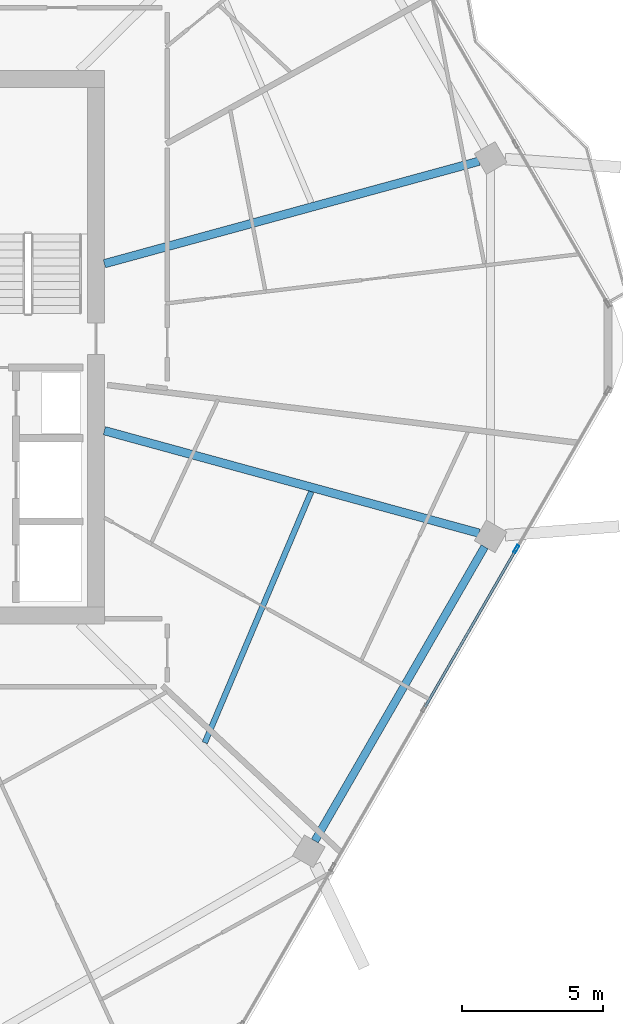
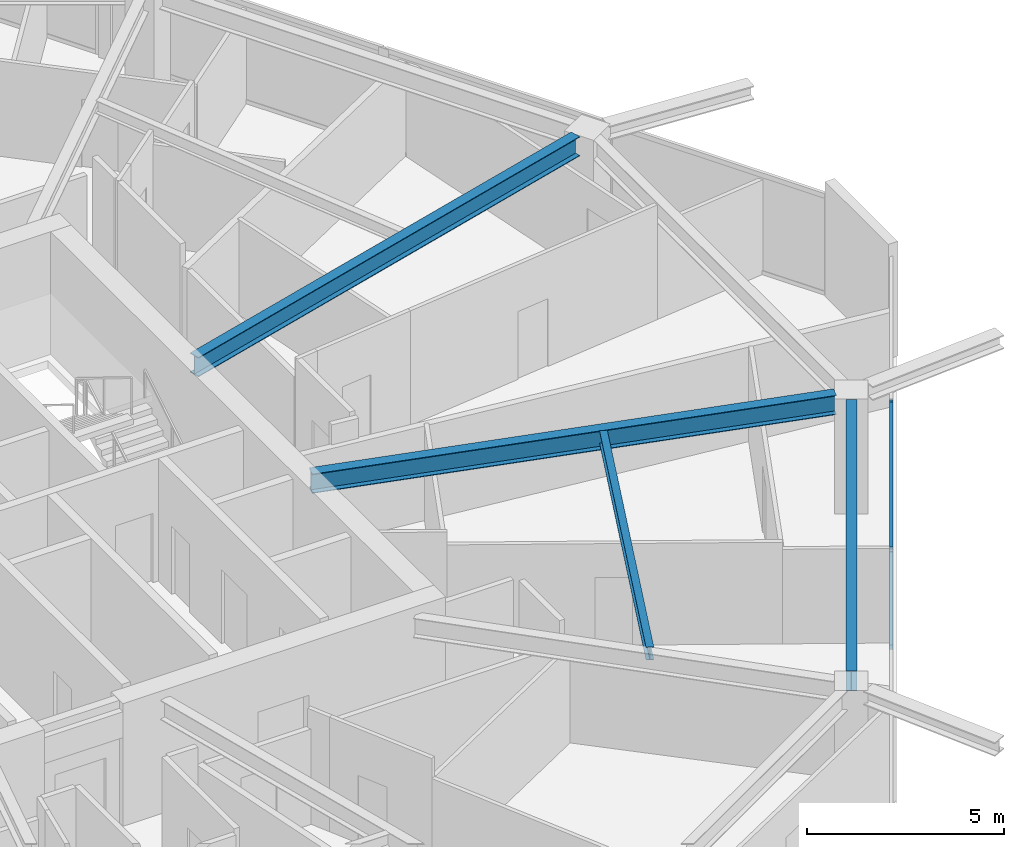
# One storey, part 9 of 26: 4 beams, 3 members, 1 element without a shape of its own.
"""IFC4 building model written with IfcOpenShell, lengths in metres."""

from ifc_helpers import new_model, si_unit, direction, frame, origin, origin_2d, place, context, subcontext, project, spatial, hollow_rectangle, i_section, extrude, material, material_profile, profile_set, type_object, element, aggregate, save


model = new_model("IFC4")

# Units and contexts
model_context = context("Model", 3, precision=1e-05, world=origin(), true_north=direction((0.0, 1.0)))
body_context = subcontext(model_context, "Body", "Model", "MODEL_VIEW")
ifc_project = project(units=[si_unit("LENGTHUNIT", "METRE"), si_unit("AREAUNIT", "SQUARE_METRE"), si_unit("VOLUMEUNIT", "CUBIC_METRE"), si_unit("PLANEANGLEUNIT", "RADIAN"), si_unit("MASSUNIT", "GRAM", prefix="KILO")], contexts=[model_context])

# Site, building, storey
site_placement = place(None, origin())
site = spatial("IfcSite", under=ifc_project, at=site_placement, CompositionType="ELEMENT")
building_placement = place(site_placement, origin())
building = spatial("IfcBuilding", under=site, at=building_placement, Name="Zuhravey Tower", CompositionType="ELEMENT")
storey_placement = place(building_placement, frame((0.0, 0.0, 273.0)))
storey = spatial("IfcBuildingStorey", under=building, at=storey_placement, Name="L69", CompositionType="ELEMENT", Elevation=273.0)

# Curtain wall, members
ifc_material_1 = material(Name="Thermally broken anodised aluminium", Category="aluminium")
curtain_wall_type = type_object("IfcCurtainWallType", Name="Zone 3-4 High-Rise Curtain Wall CW4", PredefinedType="NOTDEFINED", material=ifc_material_1)
curtain_wall_placement = place(storey_placement, origin())
curtain_wall = element("IfcCurtainWall", 1, at=curtain_wall_placement, inside=storey, type_object=curtain_wall_type, Name="L69 CW4 CW-L69-F6-1", PredefinedType="NOTDEFINED")
ifc_material_2 = material(Name="Anodised aluminium", Category="aluminium")
ifc_material_profile_1 = material_profile(ifc_material_2, hollow_rectangle(XDim=0.090087890625, YDim=0.284912109375, WallThickness=0.0048828125, at=origin_2d()), Name="ALU-RHS-90x285x5")
ifc_profile_set_1 = profile_set([ifc_material_profile_1], Name="Anodised aluminium")
member_type_1 = type_object("IfcMemberType", Name="Curtain-Wall Mullion 90x180", PredefinedType="MULLION", material=ifc_profile_set_1)
member_1_placement = place(storey_placement, frame((61.391845703125, 24.852783203125, 0.0), z_axis=(0.0, 0.0, 1.0), x_axis=(0.866024851021, -0.500000957414, 0.0)))
member_1 = element("IfcMember", 2, at=member_1_placement, type_object=member_type_1, Name="CW4 mullion 2", PredefinedType="MULLION", context=body_context, shape_type="SweptSolid", body=[
    extrude(hollow_rectangle(XDim=0.090087890625, YDim=0.284912109375, WallThickness=0.0048828125, at=origin_2d()), origin(), (0.0, 0.0, 1.0), 3.1220703125),
])
ifc_material_profile_2 = material_profile(ifc_material_2, hollow_rectangle(XDim=0.090087890625, YDim=0.14990234375, WallThickness=0.0048828125, at=origin_2d()), Name="ALU-RHS-90x150x5")
ifc_profile_set_2 = profile_set([ifc_material_profile_2], Name="Anodised aluminium")
member_type_2 = type_object("IfcMemberType", Name="Curtain-Wall Transom 90x150", PredefinedType="USERDEFINED", material=ifc_profile_set_2)
member_2_placement = place(storey_placement, frame((61.369384765625, 24.81396484375, 0.044921875), z_axis=(-0.499998017366, -0.866026548456, 0.0), x_axis=(0.866026548456, -0.499998017366, 0.0)))
member_2 = element("IfcMember", 3, at=member_2_placement, type_object=member_type_2, Name="CW4 transom 2.1", ObjectType="TRANSOM", PredefinedType="USERDEFINED", context=body_context, shape_type="SweptSolid", body=[
    extrude(hollow_rectangle(XDim=0.090087890625, YDim=0.14990234375, WallThickness=0.0048828125, at=origin_2d()), origin(), (0.0, 0.0, 1.0), 6.41650390625),
])
member_3_placement = place(storey_placement, frame((61.369384765625, 24.81396484375, 3.076904296875), z_axis=(-0.499998017366, -0.866026548456, 0.0), x_axis=(0.866026548456, -0.499998017366, 0.0)))
member_3 = element("IfcMember", 4, at=member_3_placement, type_object=member_type_2, Name="CW4 transom 2.2", ObjectType="TRANSOM", PredefinedType="USERDEFINED", context=body_context, shape_type="SweptSolid", body=[
    extrude(hollow_rectangle(XDim=0.090087890625, YDim=0.14990234375, WallThickness=0.0048828125, at=origin_2d()), origin(), (0.0, 0.0, 1.0), 6.41650390625),
])
aggregate(curtain_wall, [member_1, member_2, member_3])

# Beams
ifc_material_3 = material(Name="Steel SM355", Category="steel")
ifc_material_profile_3 = material_profile(ifc_material_3, i_section(OverallWidth=0.280029296875, OverallDepth=0.6201171875, WebThickness=0.011962890625, FlangeThickness=0.02001953125, at=origin_2d()), Name="H-620x280x12x20")
ifc_profile_set_3 = profile_set([ifc_material_profile_3], Name="Steel SM355")
beam_type_1 = type_object("IfcBeamType", Name="Perimeter Ring Beam H620x280", PredefinedType="BEAM", material=ifc_profile_set_3)
beam_1_placement = place(storey_placement, frame((54.257568359375, 14.515869140625, 3.239990234375), z_axis=(0.500005971936, 0.866021955858, 0.0), x_axis=(-0.866021955858, 0.500005971936, 0.0)))
element("IfcBeam", 5, at=beam_1_placement, inside=storey, type_object=beam_type_1, Name="L69 PB3 BM-L69-PB-11", PredefinedType="BEAM", context=body_context, shape_type="SweptSolid", body=[
    extrude(i_section(OverallWidth=0.280029296875, OverallDepth=0.6201171875, WebThickness=0.011962890625, FlangeThickness=0.02001953125, at=origin_2d()), origin(), (0.0, 0.0, 1.0), 12.025634765625),
])
ifc_material_profile_4 = material_profile(ifc_material_3, i_section(OverallWidth=0.300048828125, OverallDepth=0.60009765625, WebThickness=0.011962890625, FlangeThickness=0.02001953125, at=origin_2d()), Name="H-600x300x12x20")
ifc_profile_set_4 = profile_set([ifc_material_profile_4], Name="Steel SM355")
beam_type_2 = type_object("IfcBeamType", Name="Radial Primary Girder H600x300", PredefinedType="BEAM", material=ifc_profile_set_4)
for number, where, z_axis, x_axis, name in (
    (6, (46.802978515625, 34.95556640625, 3.25), (0.964549305009, 0.263902705947, 0.0), (-0.263902705947, 0.964549305009, 0.0), "L69 RG3 BM-L69-RAD-01"),
    (7, (46.802978515625, 29.04443359375, 3.25), (0.964549305009, -0.263902705947, 0.0), (0.263902705947, 0.964549305009, 0.0), "L69 RG3 BM-L69-RAD-12"),
):
    element("IfcBeam", number, at=place(storey_placement, frame(where, z_axis=z_axis, x_axis=x_axis)), inside=storey, type_object=beam_type_2, Name=name, PredefinedType="BEAM", context=body_context, shape_type="SweptSolid", body=[
        extrude(i_section(OverallWidth=0.300048828125, OverallDepth=0.60009765625, WebThickness=0.011962890625, FlangeThickness=0.02001953125, at=origin_2d()), origin(), (0.0, 0.0, 1.0), 13.756591796875),
    ])
ifc_material_profile_5 = material_profile(ifc_material_3, i_section(OverallWidth=0.199951171875, OverallDepth=0.39990234375, WebThickness=0.008056640625, FlangeThickness=0.012939453125, at=origin_2d()), Name="H-400x200x8x13")
ifc_profile_set_5 = profile_set([ifc_material_profile_5], Name="Steel SM355")
beam_type_3 = type_object("IfcBeamType", Name="Secondary Floor Joist H400x200", PredefinedType="JOIST", material=ifc_profile_set_5)
beam_2_placement = place(storey_placement, frame((50.36083984375, 17.990966796875, 3.35009765625), z_axis=(0.390413493754, 0.920639616731, 0.0), x_axis=(-0.920639616731, 0.390413493754, 0.0)))
element("IfcBeam", 8, at=beam_2_placement, inside=storey, type_object=beam_type_3, Name="L69 SJ2 BM-L69-SJ-11-1", PredefinedType="JOIST", context=body_context, shape_type="SweptSolid", body=[
    extrude(i_section(OverallWidth=0.199951171875, OverallDepth=0.39990234375, WebThickness=0.008056640625, FlangeThickness=0.012939453125, at=origin_2d()), origin(), (0.0, 0.0, 1.0), 9.656494140625),
])

save(model, "model.ifc")
